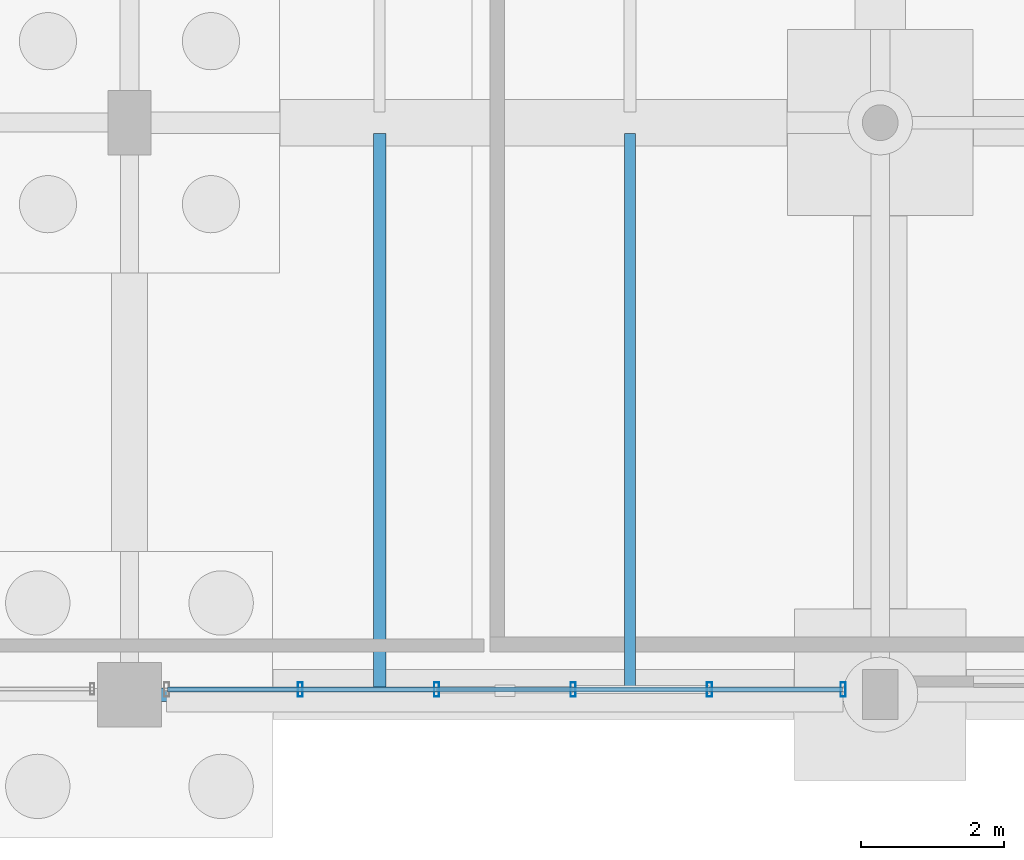
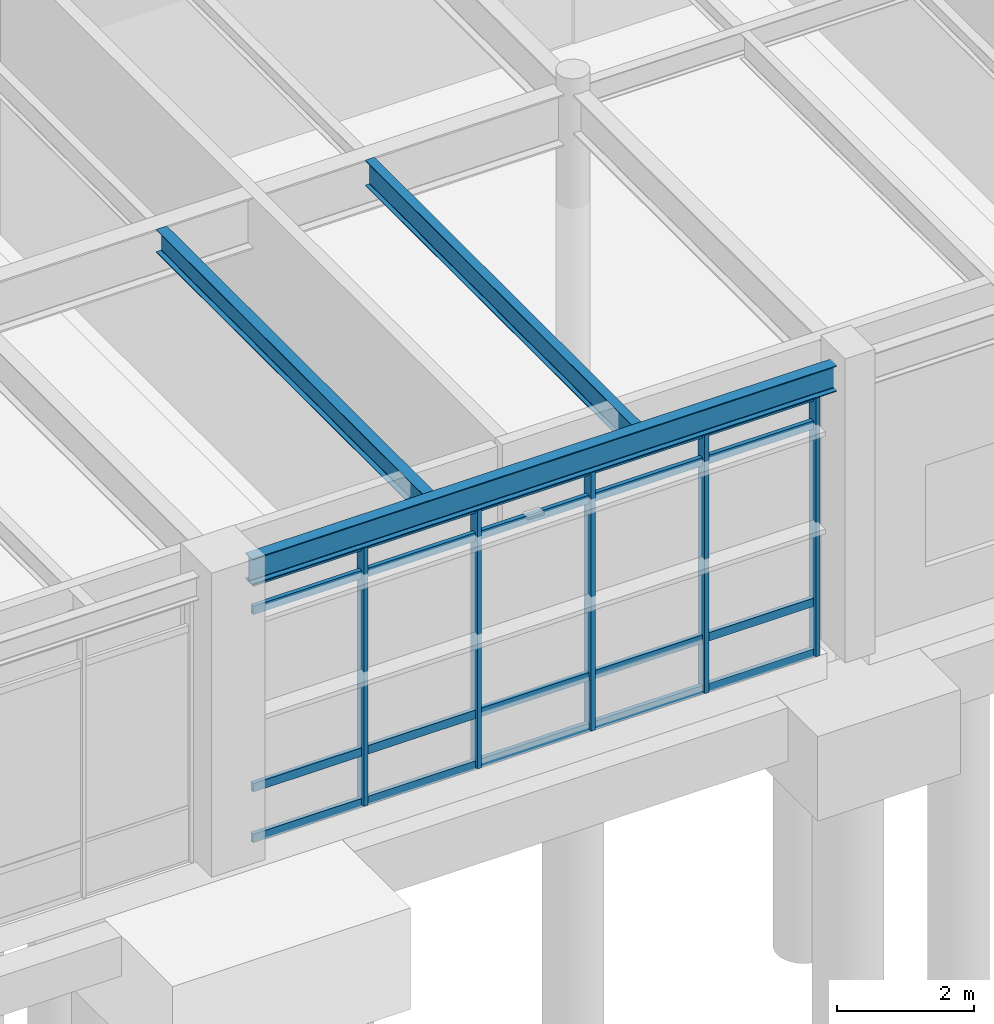
# One storey, part 129 of 203: 9 members, 3 beams, 1 element without a shape of its own.
"""IFC4 building model written with IfcOpenShell, lengths in metres."""

from ifc_helpers import new_model, si_unit, direction, frame, origin, origin_2d, place, context, subcontext, project, spatial, hollow_rectangle, i_section, extrude, material, material_profile, profile_set, type_object, element, aggregate, save


model = new_model("IFC4")

# Units and contexts
model_context = context("Model", 3, precision=1e-05, world=origin(), true_north=direction((0.0, 1.0)))
body_context = subcontext(model_context, "Body", "Model", "MODEL_VIEW")
ifc_project = project(units=[si_unit("LENGTHUNIT", "METRE"), si_unit("AREAUNIT", "SQUARE_METRE"), si_unit("VOLUMEUNIT", "CUBIC_METRE"), si_unit("PLANEANGLEUNIT", "RADIAN"), si_unit("MASSUNIT", "GRAM", prefix="KILO"), si_unit("THERMODYNAMICTEMPERATUREUNIT", "KELVIN"), si_unit("POWERUNIT", "WATT")], contexts=[model_context])

# Site, building, storey
site_placement = place(None, origin())
site = spatial("IfcSite", under=ifc_project, at=site_placement, CompositionType="ELEMENT")
building_placement = place(site_placement, origin())
building = spatial("IfcBuilding", under=site, at=building_placement, Name="Tepalcoro Natatorium and Aquatics Centre", CompositionType="ELEMENT")
storey_placement = place(building_placement, origin())
storey = spatial("IfcBuildingStorey", under=building, at=storey_placement, Name="L00", CompositionType="ELEMENT", Elevation=0.0)

# Curtain wall, members
ifc_material_1 = material(Name="Bronze-Anodised Extruded Aluminium Alloy EN AW-6063 T6", Category="aluminium")
curtain_wall_type = type_object("IfcCurtainWallType", Name="CW_V5_UPPER", PredefinedType="USERDEFINED", material=ifc_material_1)
curtain_wall_placement = place(storey_placement, origin())
curtain_wall = element("IfcCurtainWall", 1, at=curtain_wall_placement, inside=storey, type_object=curtain_wall_type, Name="V5 L00 S Unitised Curtain Wall Bay 5", ObjectType="FACETED SOLAR GLAZING", PredefinedType="USERDEFINED")
ifc_material_profile_1 = material_profile(ifc_material_1, hollow_rectangle(XDim=0.070068359375, YDim=0.199951171875, WallThickness=0.0048828125, at=origin_2d()), Name="AL70X200X5")
ifc_profile_set_1 = profile_set([ifc_material_profile_1], Name="Bronze-Anodised Extruded Aluminium Alloy EN AW-6063 T6")
member_type_1 = type_object("IfcMemberType", Name="CW_MUL_70x200", PredefinedType="MULLION", material=ifc_profile_set_1)
member_1_placement = place(storey_placement, frame((133.887939453125, 86.0712890625, 0.02001953125), z_axis=(0.0, 0.0, 1.0), x_axis=(1.0, 0.0, 0.0)))
member_1 = element("IfcMember", 2, at=member_1_placement, type_object=member_type_1, Name="CW_V5_UPPER Curtain Wall Mullion", PredefinedType="MULLION", context=body_context, shape_type="SweptSolid", body=[
    extrude(hollow_rectangle(XDim=0.070068359375, YDim=0.199951171875, WallThickness=0.0048828125, at=origin_2d()), origin(), (0.0, 0.0, 1.0), 4.60986328125),
])
member_2_placement = place(storey_placement, frame((135.7958984375, 86.0712890625, 0.02001953125), z_axis=(0.0, 0.0, 1.0), x_axis=(1.0, 0.0, 0.0)))
member_2 = element("IfcMember", 3, at=member_2_placement, type_object=member_type_1, Name="CW_V5_UPPER Curtain Wall Mullion", PredefinedType="MULLION", context=body_context, shape_type="SweptSolid", body=[
    extrude(hollow_rectangle(XDim=0.070068359375, YDim=0.199951171875, WallThickness=0.0048828125, at=origin_2d()), origin(), (0.0, 0.0, 1.0), 4.60986328125),
])
member_3_placement = place(storey_placement, frame((137.7041015625, 86.0712890625, 0.02001953125), z_axis=(0.0, 0.0, 1.0), x_axis=(1.0, 0.0, 0.0)))
member_3 = element("IfcMember", 4, at=member_3_placement, type_object=member_type_1, Name="CW_V5_UPPER Curtain Wall Mullion", PredefinedType="MULLION", context=body_context, shape_type="SweptSolid", body=[
    extrude(hollow_rectangle(XDim=0.070068359375, YDim=0.199951171875, WallThickness=0.0048828125, at=origin_2d()), origin(), (0.0, 0.0, 1.0), 4.60986328125),
])
member_4_placement = place(storey_placement, frame((139.612060546875, 86.0712890625, 0.02001953125), z_axis=(0.0, 0.0, 1.0), x_axis=(1.0, 0.0, 0.0)))
member_4 = element("IfcMember", 5, at=member_4_placement, type_object=member_type_1, Name="CW_V5_UPPER Curtain Wall Mullion", PredefinedType="MULLION", context=body_context, shape_type="SweptSolid", body=[
    extrude(hollow_rectangle(XDim=0.070068359375, YDim=0.199951171875, WallThickness=0.0048828125, at=origin_2d()), origin(), (0.0, 0.0, 1.0), 4.60986328125),
])
member_5_placement = place(storey_placement, frame((141.47998046875, 86.0712890625, 0.02001953125), z_axis=(0.0, 0.0, 1.0), x_axis=(1.0, 0.0, 0.0)))
member_5 = element("IfcMember", 6, at=member_5_placement, type_object=member_type_1, Name="CW_V5_UPPER Curtain Wall Mullion", PredefinedType="MULLION", context=body_context, shape_type="SweptSolid", body=[
    extrude(hollow_rectangle(XDim=0.070068359375, YDim=0.199951171875, WallThickness=0.0048828125, at=origin_2d()), origin(), (0.0, 0.0, 1.0), 4.60986328125),
])
ifc_material_profile_2 = material_profile(ifc_material_1, hollow_rectangle(XDim=0.070068359375, YDim=0.14990234375, WallThickness=0.00390625, at=origin_2d()), Name="AL70X150X4")
ifc_profile_set_2 = profile_set([ifc_material_profile_2], Name="Bronze-Anodised Extruded Aluminium Alloy EN AW-6063 T6")
member_type_2 = type_object("IfcMemberType", Name="CW_TRN_70x150", PredefinedType="USERDEFINED", material=ifc_profile_set_2)
member_6_placement = place(storey_placement, frame((132.030029296875, 86.0712890625, 0.050048828125), z_axis=(1.0, 0.0, 0.0), x_axis=(0.0, 1.0, 0.0)))
member_6 = element("IfcMember", 7, at=member_6_placement, type_object=member_type_2, Name="CW_V5_UPPER Curtain Wall Transom", ObjectType="TRANSOM", PredefinedType="USERDEFINED", context=body_context, shape_type="SweptSolid", body=[
    extrude(hollow_rectangle(XDim=0.070068359375, YDim=0.14990234375, WallThickness=0.00390625, at=origin_2d()), origin(), (0.0, 0.0, 1.0), 9.43994140625),
])
member_7_placement = place(storey_placement, frame((132.030029296875, 86.0712890625, 0.949951171875), z_axis=(1.0, 0.0, 0.0), x_axis=(0.0, 1.0, 0.0)))
member_7 = element("IfcMember", 8, at=member_7_placement, type_object=member_type_2, Name="CW_V5_UPPER Curtain Wall Transom", ObjectType="TRANSOM", PredefinedType="USERDEFINED", context=body_context, shape_type="SweptSolid", body=[
    extrude(hollow_rectangle(XDim=0.070068359375, YDim=0.14990234375, WallThickness=0.00390625, at=origin_2d()), origin(), (0.0, 0.0, 1.0), 9.43994140625),
])
member_8_placement = place(storey_placement, frame((132.030029296875, 86.0712890625, 4.10009765625), z_axis=(1.0, 0.0, 0.0), x_axis=(0.0, 1.0, 0.0)))
member_8 = element("IfcMember", 9, at=member_8_placement, type_object=member_type_2, Name="CW_V5_UPPER Curtain Wall Transom", ObjectType="TRANSOM", PredefinedType="USERDEFINED", context=body_context, shape_type="SweptSolid", body=[
    extrude(hollow_rectangle(XDim=0.070068359375, YDim=0.14990234375, WallThickness=0.00390625, at=origin_2d()), origin(), (0.0, 0.0, 1.0), 9.43994140625),
])
member_9_placement = place(storey_placement, frame((132.030029296875, 86.0712890625, 4.60009765625), z_axis=(1.0, 0.0, 0.0), x_axis=(0.0, 1.0, 0.0)))
member_9 = element("IfcMember", 10, at=member_9_placement, type_object=member_type_2, Name="CW_V5_UPPER Curtain Wall Transom", ObjectType="TRANSOM", PredefinedType="USERDEFINED", context=body_context, shape_type="SweptSolid", body=[
    extrude(hollow_rectangle(XDim=0.070068359375, YDim=0.14990234375, WallThickness=0.00390625, at=origin_2d()), origin(), (0.0, 0.0, 1.0), 9.43994140625),
])
aggregate(curtain_wall, [member_1, member_2, member_3, member_4, member_5, member_6, member_7, member_8, member_9])

# Beams
ifc_material_2 = material(Name="Steel ASTM A992 Grade 50 (Fy 345 MPa)", Category="steel")
ifc_material_profile_3 = material_profile(ifc_material_2, i_section(OverallWidth=0.178955078125, OverallDepth=0.409912109375, WebThickness=0.009033203125, FlangeThickness=0.013916015625, FilletRadius=0.013916015625, at=origin_2d()), Name="W16X45")
ifc_profile_set_3 = profile_set([ifc_material_profile_3], Name="Steel ASTM A992 Grade 50 (Fy 345 MPa)")
beam_type_1 = type_object("IfcBeamType", Name="JS_W16x45", PredefinedType="JOIST", material=ifc_profile_set_3)
beam_1_placement = place(storey_placement, frame((135.0, 86.095458984375, 4.919921875), z_axis=(0.0, 1.0, 0.0), x_axis=(-1.0, 0.0, 0.0)))
element("IfcBeam", 11, at=beam_1_placement, inside=storey, type_object=beam_type_1, Name="V5 L00 Floor Joist", PredefinedType="JOIST", context=body_context, shape_type="SweptSolid", body=[
    extrude(i_section(OverallWidth=0.178955078125, OverallDepth=0.409912109375, WebThickness=0.009033203125, FlangeThickness=0.013916015625, FilletRadius=0.013916015625, at=origin_2d()), origin(), (0.0, 0.0, 1.0), 7.751953125),
])
ifc_material_profile_4 = material_profile(ifc_material_2, i_section(OverallWidth=0.153076171875, OverallDepth=0.455078125, WebThickness=0.008056640625, FlangeThickness=0.012939453125, FilletRadius=0.013916015625, at=origin_2d()), Name="W18X40")
ifc_profile_set_4 = profile_set([ifc_material_profile_4], Name="Steel ASTM A992 Grade 50 (Fy 345 MPa)")
beam_type_2 = type_object("IfcBeamType", Name="JS_W18x40", PredefinedType="JOIST", material=ifc_profile_set_4)
beam_2_placement = place(storey_placement, frame((138.5, 86.095458984375, 4.8974609375), z_axis=(0.0, 1.0, 0.0), x_axis=(-1.0, 0.0, 0.0)))
element("IfcBeam", 12, at=beam_2_placement, inside=storey, type_object=beam_type_2, Name="V5 L00 Floor Joist", PredefinedType="JOIST", context=body_context, shape_type="SweptSolid", body=[
    extrude(i_section(OverallWidth=0.153076171875, OverallDepth=0.455078125, WebThickness=0.008056640625, FlangeThickness=0.012939453125, FilletRadius=0.013916015625, at=origin_2d()), origin(), (0.0, 0.0, 1.0), 7.751953125),
])
ifc_material_profile_5 = material_profile(ifc_material_2, i_section(OverallWidth=0.19091796875, OverallDepth=0.4599609375, WebThickness=0.010009765625, FlangeThickness=0.01611328125, FilletRadius=0.013916015625, at=origin_2d()), Name="W18X55")
ifc_profile_set_5 = profile_set([ifc_material_profile_5], Name="Steel ASTM A992 Grade 50 (Fy 345 MPa)")
beam_type_3 = type_object("IfcBeamType", Name="SP_W18x55", PredefinedType="SPANDREL", material=ifc_profile_set_5)
beam_3_placement = place(storey_placement, frame((131.93505859375, 86.0, 4.89501953125), z_axis=(1.0, 0.0, 0.0), x_axis=(0.0, 1.0, 0.0)))
element("IfcBeam", 13, at=beam_3_placement, inside=storey, type_object=beam_type_3, Name="V5 L00 Grid Girder X", PredefinedType="SPANDREL", context=body_context, shape_type="SweptSolid", body=[
    extrude(i_section(OverallWidth=0.19091796875, OverallDepth=0.4599609375, WebThickness=0.010009765625, FlangeThickness=0.01611328125, FilletRadius=0.013916015625, at=origin_2d()), origin(), (0.0, 0.0, 1.0), 9.829833984375),
])

save(model, "model.ifc")
